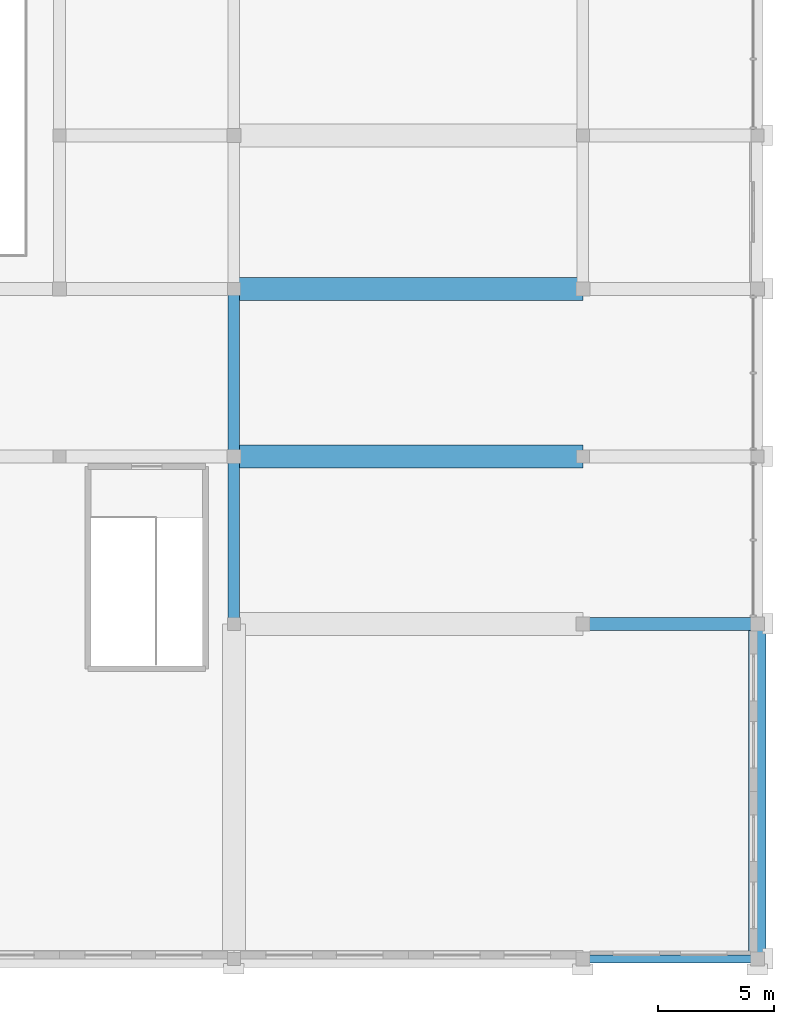
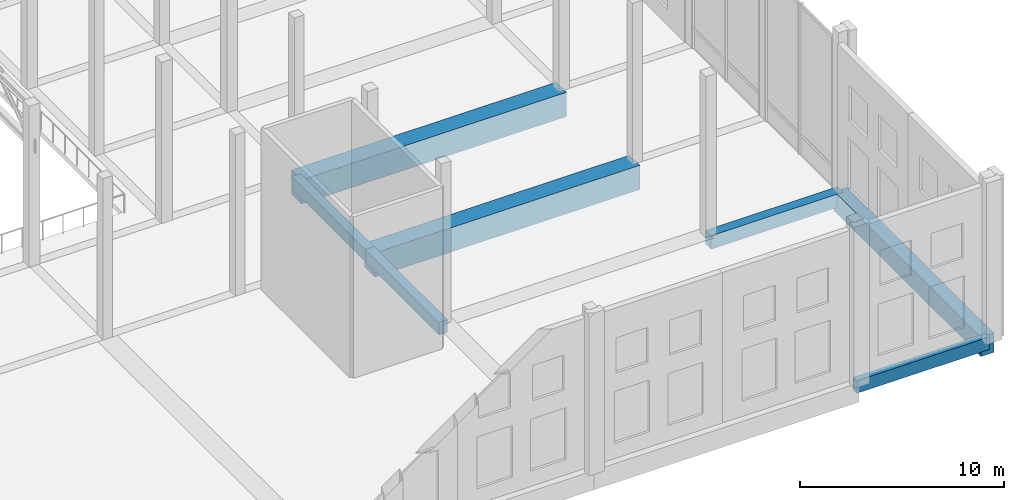
# One storey, part 42 of 80: 7 beams.
"""IFC4 building model written with IfcOpenShell, lengths in metres."""

from ifc_helpers import new_model, si_unit, direction, frame, origin, origin_2d, place, context, subcontext, project, spatial, rectangle, extrude, material, material_profile, profile_set, type_object, element, save


model = new_model("IFC4")

# Units and contexts
model_context = context("Model", 3, precision=1e-05, world=origin(), true_north=direction((0.0, 1.0)))
body_context = subcontext(model_context, "Body", "Model", "MODEL_VIEW")
ifc_project = project(units=[si_unit("LENGTHUNIT", "METRE"), si_unit("AREAUNIT", "SQUARE_METRE"), si_unit("VOLUMEUNIT", "CUBIC_METRE"), si_unit("PLANEANGLEUNIT", "RADIAN"), si_unit("MASSUNIT", "GRAM", prefix="KILO")], contexts=[model_context])

# Site, building, storey
site_placement = place(None, origin())
site = spatial("IfcSite", under=ifc_project, at=site_placement, CompositionType="ELEMENT")
building_placement = place(site_placement, origin())
building = spatial("IfcBuilding", under=site, at=building_placement, Name="Akrevak Sports Hall", CompositionType="ELEMENT")
storey_placement = place(building_placement, frame((0.0, 0.0, 14.0)))
storey = spatial("IfcBuildingStorey", under=building, at=storey_placement, Name="L03", CompositionType="ELEMENT", Elevation=14.0)

# Beams
ifc_material_1 = material(Name="Concrete C50/60", Category="concrete")
ifc_material_profile_1 = material_profile(ifc_material_1, rectangle(XDim=1.0, YDim=1.449951171875, at=origin_2d()), Name="BM 1000x1450", Category="concrete")
ifc_profile_set_1 = profile_set([ifc_material_profile_1], Name="Concrete C50/60")
beam_type_1 = type_object("IfcBeamType", Name="STR-BM-LG1000x1450", PredefinedType="BEAM", material=ifc_profile_set_1)
for number, where, z_axis, x_axis, name in (
    (1, (145.5, 21.60009765625, -0.72509765625), (1.0, 0.0, 0.0), (0.0, 1.0, 0.0), "Girder D/20-22 (L03)"),
    (2, (145.5, 28.800048828125, -0.72509765625), (1.0, 0.0, 0.0), (0.0, 1.0, 0.0), "Girder E/20-22 (L03)"),
):
    element("IfcBeam", number, at=place(storey_placement, frame(where, z_axis=z_axis, x_axis=x_axis)), inside=storey, type_object=beam_type_1, Name=name, PredefinedType="BEAM", context=body_context, shape_type="SweptSolid", body=[
        extrude(rectangle(XDim=1.0, YDim=1.449951171875, at=origin_2d()), origin(), (0.0, 0.0, 1.0), 15.0),
    ])
ifc_material_2 = material(Name="Concrete C40/50", Category="concrete")
ifc_material_profile_2 = material_profile(ifc_material_2, rectangle(XDim=0.5, YDim=0.75, at=origin_2d()), Name="BM 500x750", Category="concrete")
ifc_profile_set_2 = profile_set([ifc_material_profile_2], Name="Concrete C40/50")
beam_type_2 = type_object("IfcBeamType", Name="STR-BM-RC500x750", PredefinedType="BEAM", material=ifc_profile_set_2)
beam_1_placement = place(storey_placement, frame((145.5, 14.39990234375, -0.375), z_axis=(0.0, 1.0, 0.0), x_axis=(-1.0, 0.0, 0.0)))
element("IfcBeam", 3, at=beam_1_placement, inside=storey, type_object=beam_type_2, Name="Girder 20/C-D (L03)", PredefinedType="BEAM", context=body_context, shape_type="SweptSolid", body=[
    extrude(rectangle(XDim=0.5, YDim=0.75, at=origin_2d()), origin(), (0.0, 0.0, 1.0), 7.2001953125),
])
beam_2_placement = place(storey_placement, frame((145.5, 21.60009765625, -0.375), z_axis=(0.0, 1.0, 0.0), x_axis=(-1.0, 0.0, 0.0)))
element("IfcBeam", 4, at=beam_2_placement, inside=storey, type_object=beam_type_2, Name="Girder 20/D-E (L03)", PredefinedType="BEAM", context=body_context, shape_type="SweptSolid", body=[
    extrude(rectangle(XDim=0.5, YDim=0.75, at=origin_2d()), origin(), (0.0, 0.0, 1.0), 7.199951171875),
])
ifc_material_profile_3 = material_profile(ifc_material_2, rectangle(XDim=0.550048828125, YDim=0.800048828125, at=origin_2d()), Name="BM 550x800", Category="concrete")
ifc_profile_set_3 = profile_set([ifc_material_profile_3], Name="Concrete C40/50")
beam_type_3 = type_object("IfcBeamType", Name="STR-BM-RC550x800", PredefinedType="BEAM", material=ifc_profile_set_3)
beam_3_placement = place(storey_placement, frame((160.5, 14.39990234375, -0.39990234375), z_axis=(1.0, 0.0, 0.0), x_axis=(0.0, 1.0, 0.0)))
element("IfcBeam", 5, at=beam_3_placement, inside=storey, type_object=beam_type_3, Name="Girder C/22-23 (L03)", PredefinedType="BEAM", context=body_context, shape_type="SweptSolid", body=[
    extrude(rectangle(XDim=0.550048828125, YDim=0.800048828125, at=origin_2d()), origin(), (0.0, 0.0, 1.0), 7.5),
])
ifc_material_profile_4 = material_profile(ifc_material_1, rectangle(XDim=0.75, YDim=1.14990234375, at=origin_2d()), Name="SPD 750x1150", Category="concrete")
ifc_profile_set_4 = profile_set([ifc_material_profile_4], Name="Concrete C50/60")
beam_type_4 = type_object("IfcBeamType", Name="STR-SPD-LSP750x1150", PredefinedType="SPANDREL", material=ifc_profile_set_4)
beam_4_placement = place(storey_placement, frame((168.0, 0.0, -0.574951171875), z_axis=(0.0, 1.0, 0.0), x_axis=(-1.0, 0.0, 0.0)))
element("IfcBeam", 6, at=beam_4_placement, inside=storey, type_object=beam_type_4, Name="Girder 23/A-C (L03)", PredefinedType="SPANDREL", context=body_context, shape_type="SweptSolid", body=[
    extrude(rectangle(XDim=0.75, YDim=1.14990234375, at=origin_2d()), origin(), (0.0, 0.0, 1.0), 14.39990234375),
])
ifc_material_profile_5 = material_profile(ifc_material_2, rectangle(XDim=0.35009765625, YDim=0.75, at=origin_2d()), Name="SPD 350x750", Category="concrete")
ifc_profile_set_5 = profile_set([ifc_material_profile_5], Name="Concrete C40/50")
beam_type_5 = type_object("IfcBeamType", Name="STR-SPD-RC350x750", PredefinedType="SPANDREL", material=ifc_profile_set_5)
beam_5_placement = place(storey_placement, frame((160.5, 0.0, -0.375), z_axis=(1.0, 0.0, 0.0), x_axis=(0.0, 1.0, 0.0)))
element("IfcBeam", 7, at=beam_5_placement, inside=storey, type_object=beam_type_5, Name="Girder A/22-23 (L03)", PredefinedType="SPANDREL", context=body_context, shape_type="SweptSolid", body=[
    extrude(rectangle(XDim=0.35009765625, YDim=0.75, at=origin_2d()), origin(), (0.0, 0.0, 1.0), 7.5),
])

save(model, "model.ifc")
